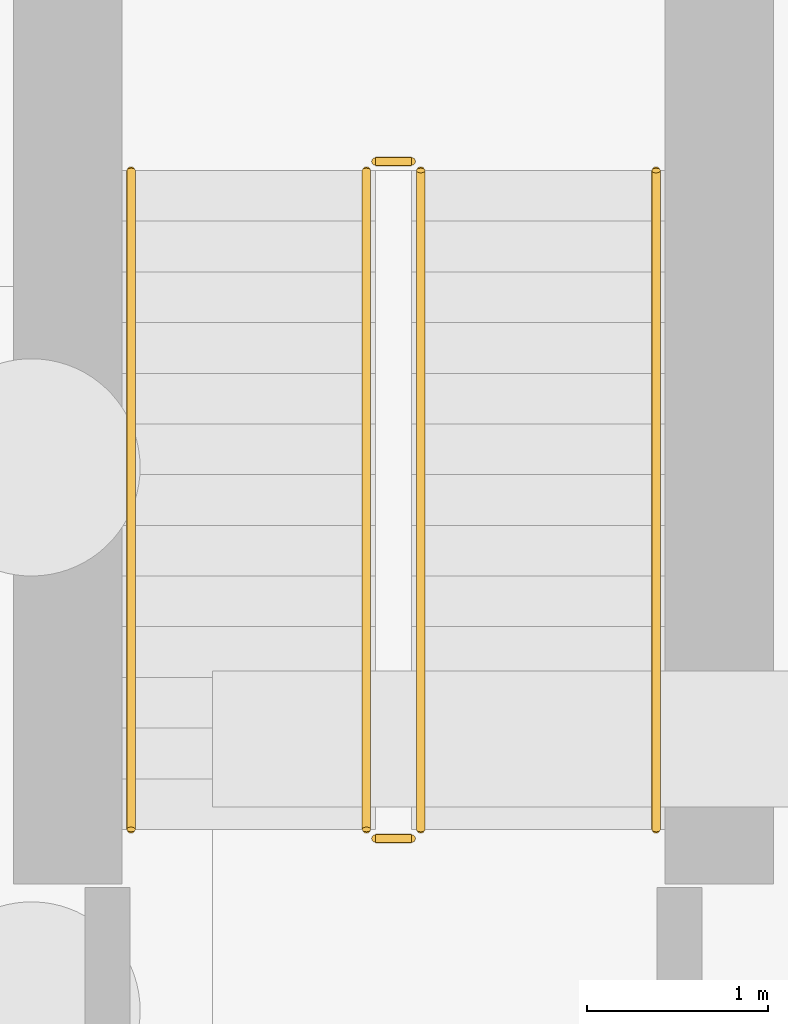
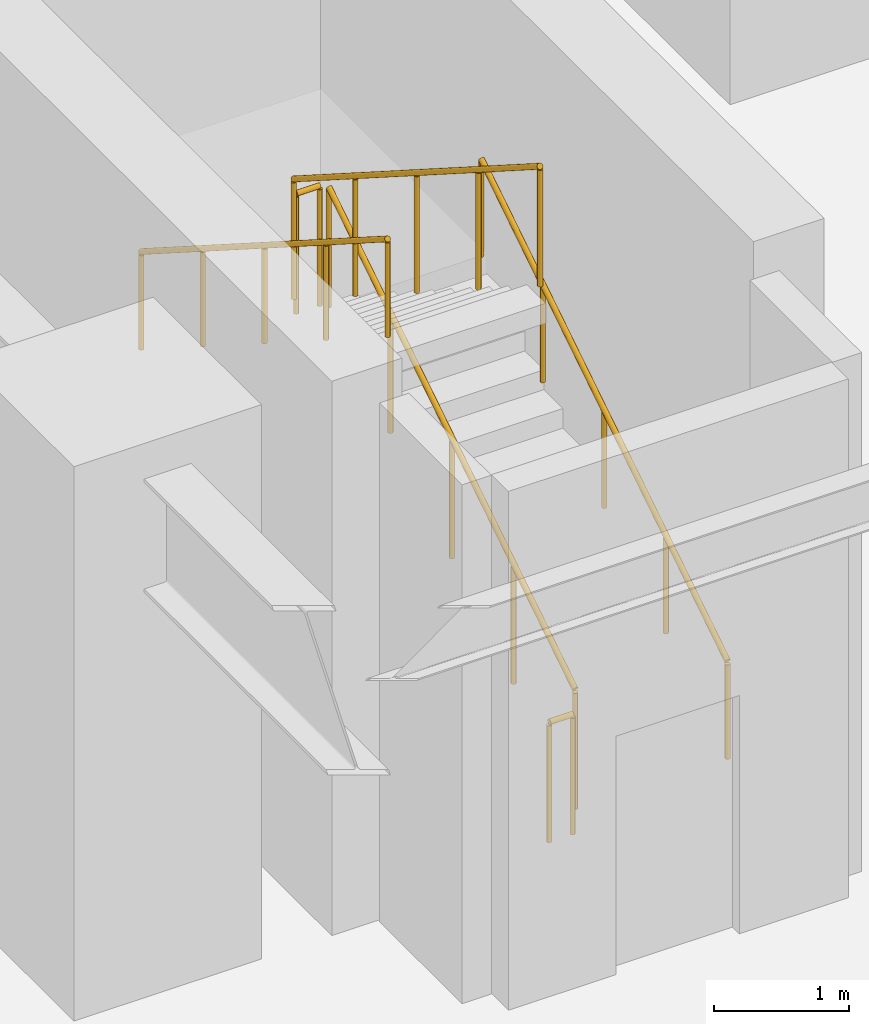
# One storey, part 13 of 15: 6 railings.
"""IFC4 building model written with IfcOpenShell, lengths in metres."""

from ifc_helpers import new_model, si_unit, direction, frame, origin, origin_2d, place, context, subcontext, project, spatial, circle, extrude, material, type_object, element, save


model = new_model("IFC4")

# Units and contexts
model_context = context("Model", 3, precision=1e-05, world=origin(), true_north=direction((0.0, 1.0)))
body_context = subcontext(model_context, "Body", "Model", "MODEL_VIEW")
ifc_project = project(units=[si_unit("LENGTHUNIT", "METRE"), si_unit("AREAUNIT", "SQUARE_METRE"), si_unit("VOLUMEUNIT", "CUBIC_METRE"), si_unit("PLANEANGLEUNIT", "RADIAN"), si_unit("MASSUNIT", "GRAM", prefix="KILO")], contexts=[model_context])

# Site, building, storey
site_placement = place(None, origin())
site = spatial("IfcSite", under=ifc_project, at=site_placement, CompositionType="ELEMENT")
building_placement = place(site_placement, origin())
building = spatial("IfcBuilding", under=site, at=building_placement, Name="Quenlor Broadcast Tower", CompositionType="ELEMENT")
storey_placement = place(building_placement, frame((0.0, 0.0, -10.0)))
storey = spatial("IfcBuildingStorey", under=building, at=storey_placement, Name="B02", CompositionType="ELEMENT", Elevation=-10.0)

# Railings
ifc_material_1 = material(Name="Anodised Aluminium", Category="aluminium")
railing_type_1 = type_object("IfcRailingType", Name="Stainless Aluminium Wall Handrail 900", PredefinedType="HANDRAIL", material=ifc_material_1)
railing_1_placement = place(storey_placement, frame((-29.64990234375, 14.5, 0.178466796875)))
element("IfcRailing", 1, at=railing_1_placement, inside=storey, type_object=railing_type_1, Name="B02 ST-3 stair handrail 1", PredefinedType="HANDRAIL", context=body_context, shape_type="SweptSolid", body=[
    extrude(circle(Radius=0.02392578125, at=origin_2d()), frame((0.0, 0.0, 0.8759765625), z_axis=(0.0, 0.843111507901, 0.53773877045), x_axis=(-1.0, 0.0, 0.0)), (0.0, 0.0, 1.0), 4.317138671875),
    extrude(circle(Radius=0.02099609375, at=origin_2d()), origin(), (0.0, 0.0, 1.0), 0.851806640625),
    extrude(circle(Radius=0.02099609375, at=origin_2d()), frame((0.0, 0.909912109375, 0.580322265625)), (0.0, 0.0, 1.0), 0.851806640625),
    extrude(circle(Radius=0.02099609375, at=origin_2d()), frame((0.0, 1.81982421875, 1.16064453125)), (0.0, 0.0, 1.0), 0.851806640625),
    extrude(circle(Radius=0.02099609375, at=origin_2d()), frame((0.0, 2.72998046875, 1.7412109375)), (0.0, 0.0, 1.0), 0.851806640625),
    extrude(circle(Radius=0.02099609375, at=origin_2d()), frame((0.0, 3.639892578125, 2.321533203125)), (0.0, 0.0, 1.0), 0.851806640625),
])
railing_2_placement = place(storey_placement, frame((-32.550048828125, 18.139892578125, 2.678466796875)))
element("IfcRailing", 2, at=railing_2_placement, inside=storey, type_object=railing_type_1, Name="B02 ST-3 stair handrail 2", PredefinedType="HANDRAIL", context=body_context, shape_type="SweptSolid", body=[
    extrude(circle(Radius=0.02392578125, at=origin_2d()), frame((0.0, 0.0, 0.8759765625), z_axis=(0.0, -0.843111507901, 0.53773877045), x_axis=(1.0, 0.0, 0.0)), (0.0, 0.0, 1.0), 4.317138671875),
    extrude(circle(Radius=0.02099609375, at=origin_2d()), origin(), (0.0, 0.0, 1.0), 0.851806640625),
    extrude(circle(Radius=0.02099609375, at=origin_2d()), frame((0.0, -0.909912109375, 0.580322265625)), (0.0, 0.0, 1.0), 0.851806640625),
    extrude(circle(Radius=0.02099609375, at=origin_2d()), frame((0.0, -1.81982421875, 1.16064453125)), (0.0, 0.0, 1.0), 0.851806640625),
    extrude(circle(Radius=0.02099609375, at=origin_2d()), frame((0.0, -2.72998046875, 1.7412109375)), (0.0, 0.0, 1.0), 0.851806640625),
    extrude(circle(Radius=0.02099609375, at=origin_2d()), frame((0.0, -3.639892578125, 2.321533203125)), (0.0, 0.0, 1.0), 0.851806640625),
])
ifc_material_2 = material(Name="Steel S355", Category="steel")
railing_type_2 = type_object("IfcRailingType", Name="Tubular Steel S355 Stair Guardrail 1100", PredefinedType="BALUSTRADE", material=ifc_material_2)
railing_3_placement = place(storey_placement, frame((-30.949951171875, 14.5, 0.178466796875)))
element("IfcRailing", 3, at=railing_3_placement, inside=storey, type_object=railing_type_2, Name="B02 ST-3 stair guard 1", PredefinedType="BALUSTRADE", context=body_context, shape_type="SweptSolid", body=[
    extrude(circle(Radius=0.02392578125, at=origin_2d()), frame((0.0, 0.0, 1.076171875), z_axis=(0.0, 0.843111507901, 0.53773877045), x_axis=(-1.0, 0.0, 0.0)), (0.0, 0.0, 1.0), 4.317138671875),
    extrude(circle(Radius=0.02099609375, at=origin_2d()), origin(), (0.0, 0.0, 1.0), 1.052001953125),
    extrude(circle(Radius=0.02099609375, at=origin_2d()), frame((0.0, 0.909912109375, 0.580322265625)), (0.0, 0.0, 1.0), 1.052001953125),
    extrude(circle(Radius=0.02099609375, at=origin_2d()), frame((0.0, 1.81982421875, 1.16064453125)), (0.0, 0.0, 1.0), 1.052001953125),
    extrude(circle(Radius=0.02099609375, at=origin_2d()), frame((0.0, 2.72998046875, 1.7412109375)), (0.0, 0.0, 1.0), 1.052001953125),
    extrude(circle(Radius=0.02099609375, at=origin_2d()), frame((0.0, 3.639892578125, 2.321533203125)), (0.0, 0.0, 1.0), 1.052001953125),
])
railing_4_placement = place(storey_placement, frame((-31.0, 18.18994140625, 2.5)))
element("IfcRailing", 4, at=railing_4_placement, inside=storey, type_object=railing_type_2, Name="B02 ST-3 stair guard 2", PredefinedType="BALUSTRADE", context=body_context, shape_type="SweptSolid", body=[
    extrude(circle(Radius=0.02392578125, at=origin_2d()), frame((0.0, 0.0, 1.076171875), z_axis=(-1.0, 0.0, 0.0), x_axis=(0.0, -1.0, 0.0)), (0.0, 0.0, 1.0), 0.199951171875),
    extrude(circle(Radius=0.02099609375, at=origin_2d()), origin(), (0.0, 0.0, 1.0), 1.052001953125),
    extrude(circle(Radius=0.02099609375, at=origin_2d()), frame((-0.199951171875, 0.0, 0.0)), (0.0, 0.0, 1.0), 1.052001953125),
])
railing_5_placement = place(storey_placement, frame((-31.25, 18.139892578125, 2.678466796875)))
element("IfcRailing", 5, at=railing_5_placement, inside=storey, type_object=railing_type_2, Name="B02 ST-3 stair guard 3", PredefinedType="BALUSTRADE", context=body_context, shape_type="SweptSolid", body=[
    extrude(circle(Radius=0.02392578125, at=origin_2d()), frame((0.0, 0.0, 1.076171875), z_axis=(0.0, -0.843111507901, 0.53773877045), x_axis=(1.0, 0.0, 0.0)), (0.0, 0.0, 1.0), 4.317138671875),
    extrude(circle(Radius=0.02099609375, at=origin_2d()), origin(), (0.0, 0.0, 1.0), 1.052001953125),
    extrude(circle(Radius=0.02099609375, at=origin_2d()), frame((0.0, -0.909912109375, 0.580322265625)), (0.0, 0.0, 1.0), 1.052001953125),
    extrude(circle(Radius=0.02099609375, at=origin_2d()), frame((0.0, -1.81982421875, 1.16064453125)), (0.0, 0.0, 1.0), 1.052001953125),
    extrude(circle(Radius=0.02099609375, at=origin_2d()), frame((0.0, -2.72998046875, 1.7412109375)), (0.0, 0.0, 1.0), 1.052001953125),
    extrude(circle(Radius=0.02099609375, at=origin_2d()), frame((0.0, -3.639892578125, 2.321533203125)), (0.0, 0.0, 1.0), 1.052001953125),
])
railing_6_placement = place(storey_placement, frame((-31.0, 14.449951171875, 0.0)))
element("IfcRailing", 6, at=railing_6_placement, inside=storey, type_object=railing_type_2, Name="B02 ST-3 stair guard 4", PredefinedType="BALUSTRADE", context=body_context, shape_type="SweptSolid", body=[
    extrude(circle(Radius=0.02392578125, at=origin_2d()), frame((0.0, 0.0, 1.076171875), z_axis=(-1.0, 0.0, 0.0), x_axis=(0.0, -1.0, 0.0)), (0.0, 0.0, 1.0), 0.199951171875),
    extrude(circle(Radius=0.02099609375, at=origin_2d()), origin(), (0.0, 0.0, 1.0), 1.052001953125),
    extrude(circle(Radius=0.02099609375, at=origin_2d()), frame((-0.199951171875, 0.0, 0.0)), (0.0, 0.0, 1.0), 1.052001953125),
])

save(model, "model.ifc")
